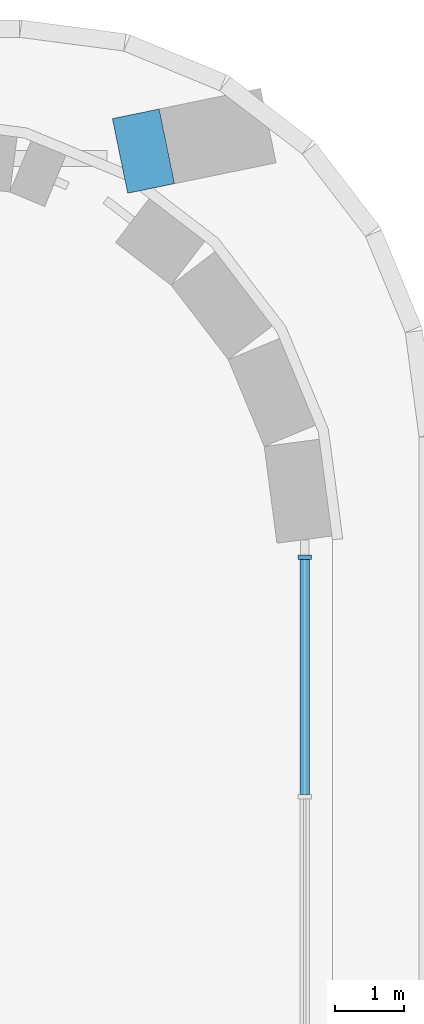
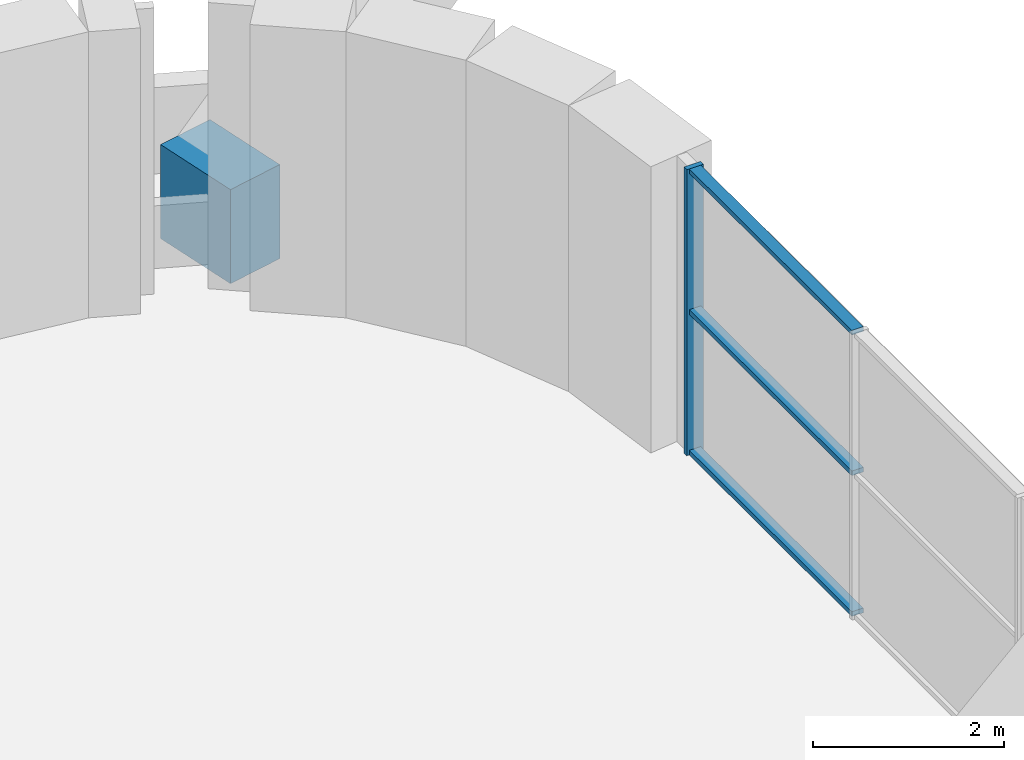
# One storey, part 12 of 26: 4 members, 1 beam, 1 element without a shape of its own.
"""IFC4 building model written with IfcOpenShell, lengths in metres."""

from ifc_helpers import new_model, si_unit, direction, frame, origin, origin_2d, place, context, subcontext, project, spatial, rectangle, extrude, material, material_profile, profile_set, type_object, element, aggregate, save


model = new_model("IFC4")

# Units and contexts
model_context = context("Model", 3, precision=1e-05, world=origin(), true_north=direction((0.0, 1.0)))
body_context = subcontext(model_context, "Body", "Model", "MODEL_VIEW")
ifc_project = project(units=[si_unit("LENGTHUNIT", "METRE"), si_unit("AREAUNIT", "SQUARE_METRE"), si_unit("VOLUMEUNIT", "CUBIC_METRE"), si_unit("PLANEANGLEUNIT", "RADIAN"), si_unit("MASSUNIT", "GRAM", prefix="KILO")], contexts=[model_context])

# Site, building, storey
site_placement = place(None, origin())
site = spatial("IfcSite", under=ifc_project, at=site_placement, CompositionType="ELEMENT")
building_placement = place(site_placement, origin())
building = spatial("IfcBuilding", under=site, at=building_placement, Name="Zellij Exchange Tower", CompositionType="ELEMENT")
storey_placement = place(building_placement, frame((0.0, 0.0, 100.5)))
storey = spatial("IfcBuildingStorey", under=building, at=storey_placement, Name="L21", CompositionType="ELEMENT", Elevation=100.5)

# Curtain wall, members
ifc_material_1 = material(Name="Aluminium frame, clear insulating glass", Category="aluminium")
curtain_wall_type = type_object("IfcCurtainWallType", Name="ENV-CW6 Sky-lobby glazing", PredefinedType="NOTDEFINED", material=ifc_material_1)
curtain_wall_placement = place(storey_placement, origin())
curtain_wall = element("IfcCurtainWall", 1, at=curtain_wall_placement, inside=storey, type_object=curtain_wall_type, Name="cw.L21.07c", PredefinedType="NOTDEFINED")
ifc_material_2 = material(Name="Aluminium", Category="aluminium")
ifc_material_profile_1 = material_profile(ifc_material_2, rectangle(XDim=0.06005859375, YDim=0.199951171875, at=origin_2d()), Name="AL 60x200")
ifc_profile_set_1 = profile_set([ifc_material_profile_1], Name="Aluminium")
member_type_1 = type_object("IfcMemberType", Name="ENV-CW6M Mullion 60x200", PredefinedType="MULLION", material=ifc_profile_set_1)
member_1_placement = place(storey_placement, frame((34.10009765625, 12.243896484375, 0.0), z_axis=(0.0, 0.0, 1.0), x_axis=(0.0, 1.0, 0.0)))
member_1 = element("IfcMember", 2, at=member_1_placement, type_object=member_type_1, Name="CW6 mullion 3", PredefinedType="MULLION", context=body_context, shape_type="SweptSolid", body=[
    extrude(rectangle(XDim=0.06005859375, YDim=0.199951171875, at=origin_2d()), origin(), (0.0, 0.0, 1.0), 3.64990234375),
])
ifc_material_profile_2 = material_profile(ifc_material_2, rectangle(XDim=0.139892578125, YDim=0.06005859375, at=origin_2d()), Name="AL 140x60")
ifc_profile_set_2 = profile_set([ifc_material_profile_2], Name="Aluminium")
member_type_2 = type_object("IfcMemberType", Name="ENV-CW6T Transom 140x60", PredefinedType="USERDEFINED", material=ifc_profile_set_2)
member_2_placement = place(storey_placement, frame((34.10009765625, 8.81689453125, 0.030029296875), z_axis=(0.0, 1.0, 0.0), x_axis=(-1.0, 0.0, 0.0)))
member_2 = element("IfcMember", 3, at=member_2_placement, type_object=member_type_2, Name="CW6 transom 2.1", ObjectType="TRANSOM", PredefinedType="USERDEFINED", context=body_context, shape_type="SweptSolid", body=[
    extrude(rectangle(XDim=0.139892578125, YDim=0.06005859375, at=origin_2d()), origin(), (0.0, 0.0, 1.0), 3.39697265625),
])
member_3_placement = place(storey_placement, frame((34.10009765625, 8.81689453125, 1.824951171875), z_axis=(0.0, 1.0, 0.0), x_axis=(-1.0, 0.0, 0.0)))
member_3 = element("IfcMember", 4, at=member_3_placement, type_object=member_type_2, Name="CW6 transom 2.2", ObjectType="TRANSOM", PredefinedType="USERDEFINED", context=body_context, shape_type="SweptSolid", body=[
    extrude(rectangle(XDim=0.139892578125, YDim=0.06005859375, at=origin_2d()), origin(), (0.0, 0.0, 1.0), 3.39697265625),
])
member_4_placement = place(storey_placement, frame((34.10009765625, 8.81689453125, 3.6201171875), z_axis=(0.0, 1.0, 0.0), x_axis=(-1.0, 0.0, 0.0)))
member_4 = element("IfcMember", 5, at=member_4_placement, type_object=member_type_2, Name="CW6 transom 2.3", ObjectType="TRANSOM", PredefinedType="USERDEFINED", context=body_context, shape_type="SweptSolid", body=[
    extrude(rectangle(XDim=0.139892578125, YDim=0.06005859375, at=origin_2d()), origin(), (0.0, 0.0, 1.0), 3.39697265625),
])
aggregate(curtain_wall, [member_1, member_2, member_3, member_4])

# Beam
ifc_material_3 = material(Name="Concrete C70/85", Category="concrete")
ifc_material_profile_3 = material_profile(ifc_material_3, rectangle(XDim=1.10009765625, YDim=1.199951171875, at=origin_2d()), Name="STR-END BLOCK KNUCKLE RC1100x1200 C70/85")
ifc_profile_set_3 = profile_set([ifc_material_profile_3], Name="Concrete C70/85")
beam_type = type_object("IfcBeamType", Name="STR-END BLOCK KNUCKLE RC1100x1200 C70/85", PredefinedType="BEAM", material=ifc_profile_set_3)
beam_placement = place(storey_placement, frame((31.434814453125, 18.037841796875, 0.449951171875), z_axis=(0.979559778966, 0.201153273482, 0.0), x_axis=(-0.201153273482, 0.979559778966, 0.0)))
element("IfcBeam", 6, at=beam_placement, inside=storey, type_object=beam_type, Name="EK2", PredefinedType="BEAM", context=body_context, shape_type="SweptSolid", body=[
    extrude(rectangle(XDim=1.10009765625, YDim=1.199951171875, at=origin_2d()), origin(), (0.0, 0.0, 1.0), 0.689453125),
])

save(model, "model.ifc")
